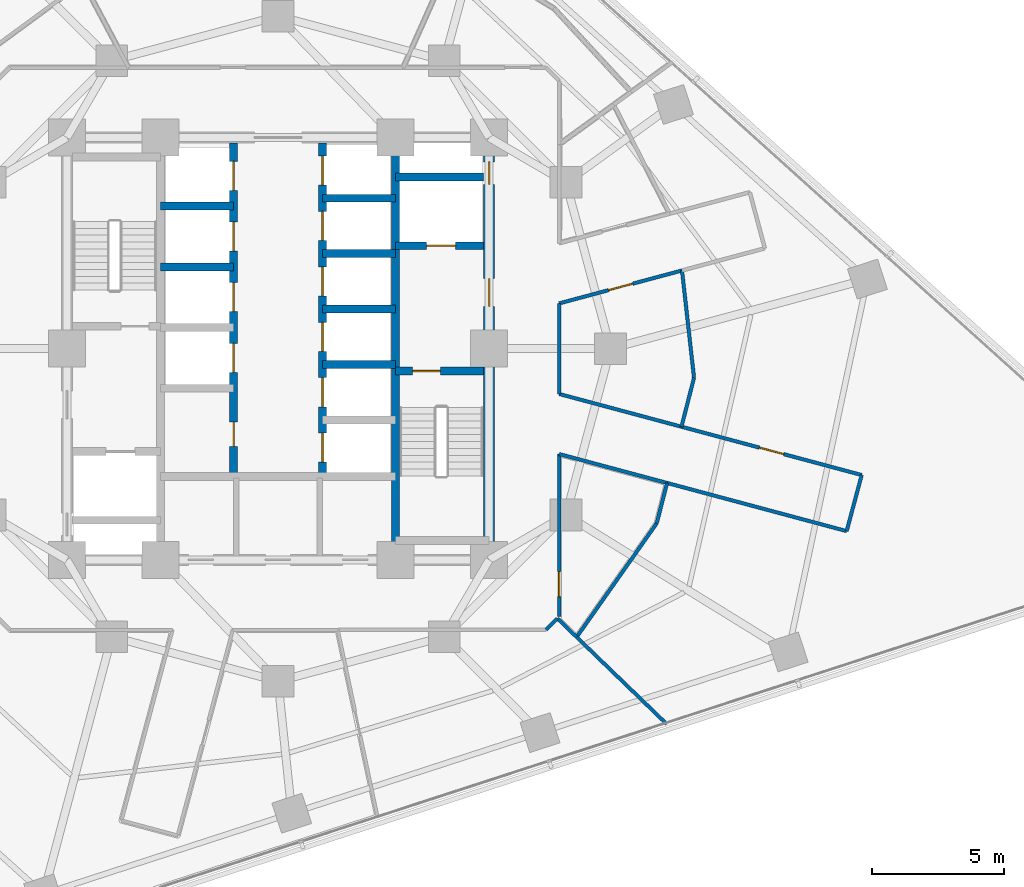
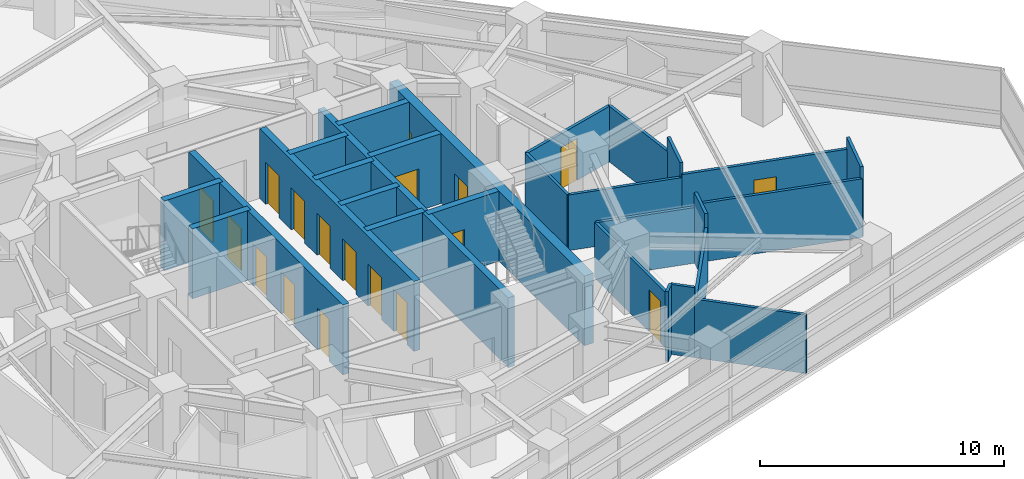
# One storey, part 8 of 13: 28 walls, 18 doors, 18 openings.
"""IFC4 building model written with IfcOpenShell, lengths in metres."""

from ifc_helpers import new_model, si_unit, direction, frame, frame_2d, origin, place, context, subcontext, project, spatial, rectangle, extrude, material, layer, layer_set, type_object, element, fill, save


model = new_model("IFC4")

# Units and contexts
model_context = context("Model", 3, precision=1e-05, world=origin(), true_north=direction((0.0, 1.0)))
body_context = subcontext(model_context, "Body", "Model", "MODEL_VIEW")
ifc_project = project(units=[si_unit("LENGTHUNIT", "METRE"), si_unit("AREAUNIT", "SQUARE_METRE"), si_unit("VOLUMEUNIT", "CUBIC_METRE"), si_unit("PLANEANGLEUNIT", "RADIAN"), si_unit("MASSUNIT", "GRAM", prefix="KILO")], contexts=[model_context])

# Site, building, storey
site_placement = place(None, origin())
site = spatial("IfcSite", under=ifc_project, at=site_placement, CompositionType="ELEMENT")
building_placement = place(site_placement, origin())
building = spatial("IfcBuilding", under=site, at=building_placement, Name="Terralouvre Media Tower", CompositionType="ELEMENT")
storey_placement = place(building_placement, frame((0.0, 0.0, 105.10009765625)))
storey = spatial("IfcBuildingStorey", under=building, at=storey_placement, Name="L26", CompositionType="ELEMENT", Elevation=105.10009765625)

# Wall
ifc_material_1 = material(Name="Concrete C50/60", Category="concrete")
ifc_layer_1 = layer(ifc_material_1, 0.300048828125, Name="Core Internal Shaft Wall CW-300")
ifc_layer_set_1 = layer_set([ifc_layer_1], Name="Concrete C50/60")
wall_type_1 = type_object("IfcWallType", Name="Core Internal Shaft Wall CW-300", PredefinedType="SHEAR", material=ifc_layer_set_1)
wall_1_placement = place(storey_placement, frame((4.449951171875, -7.7900390625, 0.0), z_axis=(0.0, 0.0, 1.0), x_axis=(0.0, 1.0, 0.0)))
element("IfcWall", 1, at=wall_1_placement, inside=storey, type_object=wall_type_1, Name="L26 Core Shaft Wall SPE", PredefinedType="SHEAR", context=body_context, shape_type="SweptSolid", body=[
    extrude(rectangle(XDim=15.580078125, YDim=0.300048828125, at=frame_2d((7.7900390625, 0.0))), origin(), (0.0, 0.0, 1.0), 3.5),
])

# Wall, opening, door
wall_2_placement = place(storey_placement, frame((4.449951171875, -0.85009765625, 0.0), z_axis=(0.0, 0.0, 1.0), x_axis=(1.0, 0.0, 0.0)))
wall_2 = element("IfcWall", 2, at=wall_2_placement, inside=storey, type_object=wall_type_1, Name="L26 Core Shaft Wall ST2D", PredefinedType="SHEAR", context=body_context, shape_type="SweptSolid", body=[
    extrude(rectangle(XDim=3.340087890625, YDim=0.300048828125, at=frame_2d((1.669921875, 0.0))), origin(), (0.0, 0.0, 1.0), 3.5),
])
opening_1_placement = place(wall_2_placement, frame((0.64990234375, 0.0, 0.0)))
opening_1 = element("IfcOpeningElement", 3, at=opening_1_placement, cuts=wall_2, Name="Opening FD-01-105X215", PredefinedType="OPENING", context=body_context, shape_type="SweptSolid", body=[
    extrude(rectangle(XDim=1.050048828125, YDim=2.14990234375, at=frame_2d((0.52490234375, 1.074951171875))), frame((0.0, 0.159912109375, 0.0), z_axis=(0.0, -1.0, 0.0), x_axis=(1.0, 0.0, 0.0)), (0.0, 0.0, 1.0), 0.320068359375),
])
ifc_material_2 = material(Name="Galvanised steel fire-resisting leaf", Category="steel")
door_type_1 = type_object("IfcDoorType", Name="Stair and Firefighting Lobby Fire Door FD-01 (1050x2150)", OperationType="NOTDEFINED", PredefinedType="DOOR", material=ifc_material_2)
door_1_placement = place(opening_1_placement, origin())
door_1 = element("IfcDoor", 4, at=door_1_placement, inside=storey, type_object=door_type_1, Name="L26 ST-02 Exit Stair Door", OperationType="SINGLE_SWING_RIGHT", OverallHeight=2.14990234375, OverallWidth=1.050048828125, PredefinedType="DOOR", context=body_context, shape_type="SweptSolid", body=[
    extrude(rectangle(XDim=1.050048828125, YDim=2.14990234375, at=frame_2d((0.52490234375, 1.074951171875))), frame((0.0, 0.02490234375, 0.0), z_axis=(0.0, -1.0, 0.0), x_axis=(1.0, 0.0, 0.0)), (0.0, 0.0, 1.0), 0.050048828125),
])
fill(opening_1, door_1)

wall_3_placement = place(storey_placement, frame((4.449951171875, 3.89990234375, 0.0), z_axis=(0.0, 0.0, 1.0), x_axis=(1.0, 0.0, 0.0)))
wall_3 = element("IfcWall", 5, at=wall_3_placement, inside=storey, type_object=wall_type_1, Name="L26 Core Shaft Wall FF2S", PredefinedType="SHEAR", context=body_context, shape_type="SweptSolid", body=[
    extrude(rectangle(XDim=3.340087890625, YDim=0.300048828125, at=frame_2d((1.669921875, 0.0))), origin(), (0.0, 0.0, 1.0), 3.5),
])
opening_2_placement = place(wall_3_placement, frame((1.179931640625, 0.0, 0.0)))
opening_2 = element("IfcOpeningElement", 6, at=opening_2_placement, cuts=wall_3, Name="Opening LD-FF", PredefinedType="OPENING", context=body_context, shape_type="SweptSolid", body=[
    extrude(rectangle(XDim=1.10009765625, YDim=2.10009765625, at=frame_2d((0.550048828125, 1.050048828125))), frame((0.0, 0.159912109375, 0.0), z_axis=(0.0, -1.0, 0.0), x_axis=(1.0, 0.0, 0.0)), (0.0, 0.0, 1.0), 0.320068359375),
])
ifc_material_3 = material(Name="Stainless steel 316 handrail and balustrade", Category="steel")
door_type_2 = type_object("IfcDoorType", Name="Firefighting Lift Sliding Landing Door LD-FF", OperationType="SLIDING_TO_LEFT", PredefinedType="DOOR", material=ifc_material_3)
door_2_placement = place(opening_2_placement, origin())
door_2 = element("IfcDoor", 7, at=door_2_placement, inside=storey, type_object=door_type_2, Name="L26 Firefighting Lift FFL-02 Landing Door", OperationType="SLIDING_TO_LEFT", OverallHeight=2.10009765625, OverallWidth=1.10009765625, PredefinedType="DOOR", context=body_context, shape_type="SweptSolid", body=[
    extrude(rectangle(XDim=1.10009765625, YDim=2.10009765625, at=frame_2d((0.550048828125, 1.050048828125))), frame((0.0, 0.02490234375, 0.0), z_axis=(0.0, -1.0, 0.0), x_axis=(1.0, 0.0, 0.0)), (0.0, 0.0, 1.0), 0.050048828125),
])
fill(opening_2, door_2)

# Wall
wall_4_placement = place(storey_placement, frame((4.449951171875, 6.5, 0.0), z_axis=(0.0, 0.0, 1.0), x_axis=(1.0, 0.0, 0.0)))
element("IfcWall", 8, at=wall_4_placement, inside=storey, type_object=wall_type_1, Name="L26 Core Shaft Wall FF2N", PredefinedType="SHEAR", context=body_context, shape_type="SweptSolid", body=[
    extrude(rectangle(XDim=3.340087890625, YDim=0.300048828125, at=frame_2d((1.669921875, 0.0))), origin(), (0.0, 0.0, 1.0), 3.5),
])

# Wall, openings, doors
wall_5_placement = place(storey_placement, frame((-1.679931640625, -4.85009765625, 0.0), z_axis=(0.0, 0.0, 1.0), x_axis=(0.0, 1.0, 0.0)))
wall_5 = element("IfcWall", 9, at=wall_5_placement, inside=storey, type_object=wall_type_1, Name="L26 Core Shaft Wall LBW", PredefinedType="SHEAR", context=body_context, shape_type="SweptSolid", body=[
    extrude(rectangle(XDim=12.64013671875, YDim=0.300048828125, at=frame_2d((6.320068359375, 0.0))), origin(), (0.0, 0.0, 1.0), 3.5),
])
opening_3_placement = place(wall_5_placement, frame((3.949951171875, 0.0, 0.0)))
opening_3 = element("IfcOpeningElement", 10, at=opening_3_placement, cuts=wall_5, Name="Opening LD-PL", PredefinedType="OPENING", context=body_context, shape_type="SweptSolid", body=[
    extrude(rectangle(XDim=1.10009765625, YDim=2.10009765625, at=frame_2d((0.550048828125, 1.050048828125))), frame((0.0, 0.159912109375, 0.0), z_axis=(0.0, -1.0, 0.0), x_axis=(1.0, 0.0, 0.0)), (0.0, 0.0, 1.0), 0.320068359375),
])
opening_4_placement = place(wall_5_placement, frame((6.25, 0.0, 0.0)))
opening_4 = element("IfcOpeningElement", 11, at=opening_4_placement, cuts=wall_5, Name="Opening LD-PL", PredefinedType="OPENING", context=body_context, shape_type="SweptSolid", body=[
    extrude(rectangle(XDim=1.10009765625, YDim=2.10009765625, at=frame_2d((0.550048828125, 1.050048828125))), frame((0.0, 0.159912109375, 0.0), z_axis=(0.0, -1.0, 0.0), x_axis=(1.0, 0.0, 0.0)), (0.0, 0.0, 1.0), 0.320068359375),
])
opening_5_placement = place(wall_5_placement, frame((8.550048828125, 0.0, 0.0)))
opening_5 = element("IfcOpeningElement", 12, at=opening_5_placement, cuts=wall_5, Name="Opening LD-PL", PredefinedType="OPENING", context=body_context, shape_type="SweptSolid", body=[
    extrude(rectangle(XDim=1.10009765625, YDim=2.10009765625, at=frame_2d((0.550048828125, 1.050048828125))), frame((0.0, 0.159912109375, 0.0), z_axis=(0.0, -1.0, 0.0), x_axis=(1.0, 0.0, 0.0)), (0.0, 0.0, 1.0), 0.320068359375),
])
opening_6_placement = place(wall_5_placement, frame((10.85009765625, 0.0, 0.0)))
opening_6 = element("IfcOpeningElement", 13, at=opening_6_placement, cuts=wall_5, Name="Opening LD-PL", PredefinedType="OPENING", context=body_context, shape_type="SweptSolid", body=[
    extrude(rectangle(XDim=1.10009765625, YDim=2.10009765625, at=frame_2d((0.550048828125, 1.050048828125))), frame((0.0, 0.159912109375, 0.0), z_axis=(0.0, -1.0, 0.0), x_axis=(1.0, 0.0, 0.0)), (0.0, 0.0, 1.0), 0.320068359375),
])
opening_7_placement = place(wall_5_placement, frame((1.14990234375, 0.0, 0.0)))
opening_7 = element("IfcOpeningElement", 14, at=opening_7_placement, cuts=wall_5, Name="Opening FD-05-92X210", PredefinedType="OPENING", context=body_context, shape_type="SweptSolid", body=[
    extrude(rectangle(XDim=0.919921875, YDim=2.10009765625, at=frame_2d((0.4599609375, 1.050048828125))), frame((0.0, 0.159912109375, 0.0), z_axis=(0.0, -1.0, 0.0), x_axis=(1.0, 0.0, 0.0)), (0.0, 0.0, 1.0), 0.320068359375),
])
ifc_material_4 = material(Name="Galvanised steel fire-resisting leaf", Category="steel")
door_type_3 = type_object("IfcDoorType", Name="Core Accessible Closet Fire Door FD-05 (920x2100)", OperationType="NOTDEFINED", PredefinedType="DOOR", material=ifc_material_4)
door_3_placement = place(opening_7_placement, origin())
door_3 = element("IfcDoor", 15, at=door_3_placement, inside=storey, type_object=door_type_3, Name="L26 Core Cleaners Closet Door", OperationType="SINGLE_SWING_LEFT", OverallHeight=2.10009765625, OverallWidth=0.919921875, PredefinedType="DOOR", context=body_context, shape_type="SweptSolid", body=[
    extrude(rectangle(XDim=0.919921875, YDim=2.10009765625, at=frame_2d((0.4599609375, 1.050048828125))), frame((0.0, 0.02490234375, 0.0), z_axis=(0.0, -1.0, 0.0), x_axis=(1.0, 0.0, 0.0)), (0.0, 0.0, 1.0), 0.050048828125),
])
fill(opening_7, door_3)
ifc_material_5 = material(Name="Stainless steel 316 handrail and balustrade", Category="steel")
door_type_4 = type_object("IfcDoorType", Name="Passenger Lift Sliding Landing Door LD-PL", OperationType="SLIDING_TO_LEFT", PredefinedType="DOOR", material=ifc_material_5)
door_4_placement = place(opening_3_placement, origin())
door_4 = element("IfcDoor", 16, at=door_4_placement, inside=storey, type_object=door_type_4, Name="L26 Low-Rise Lift PL-L1 Landing Door", OperationType="SLIDING_TO_LEFT", OverallHeight=2.10009765625, OverallWidth=1.10009765625, PredefinedType="DOOR", context=body_context, shape_type="SweptSolid", body=[
    extrude(rectangle(XDim=1.10009765625, YDim=2.10009765625, at=frame_2d((0.550048828125, 1.050048828125))), frame((0.0, 0.02490234375, 0.0), z_axis=(0.0, -1.0, 0.0), x_axis=(1.0, 0.0, 0.0)), (0.0, 0.0, 1.0), 0.050048828125),
])
fill(opening_3, door_4)
door_5_placement = place(opening_4_placement, origin())
door_5 = element("IfcDoor", 17, at=door_5_placement, inside=storey, type_object=door_type_4, Name="L26 Low-Rise Lift PL-L2 Landing Door", OperationType="SLIDING_TO_LEFT", OverallHeight=2.10009765625, OverallWidth=1.10009765625, PredefinedType="DOOR", context=body_context, shape_type="SweptSolid", body=[
    extrude(rectangle(XDim=1.10009765625, YDim=2.10009765625, at=frame_2d((0.550048828125, 1.050048828125))), frame((0.0, 0.02490234375, 0.0), z_axis=(0.0, -1.0, 0.0), x_axis=(1.0, 0.0, 0.0)), (0.0, 0.0, 1.0), 0.050048828125),
])
fill(opening_4, door_5)
door_6_placement = place(opening_5_placement, origin())
door_6 = element("IfcDoor", 18, at=door_6_placement, inside=storey, type_object=door_type_4, Name="L26 Low-Rise Lift PL-L3 Landing Door", OperationType="SLIDING_TO_LEFT", OverallHeight=2.10009765625, OverallWidth=1.10009765625, PredefinedType="DOOR", context=body_context, shape_type="SweptSolid", body=[
    extrude(rectangle(XDim=1.10009765625, YDim=2.10009765625, at=frame_2d((0.550048828125, 1.050048828125))), frame((0.0, 0.02490234375, 0.0), z_axis=(0.0, -1.0, 0.0), x_axis=(1.0, 0.0, 0.0)), (0.0, 0.0, 1.0), 0.050048828125),
])
fill(opening_5, door_6)
door_7_placement = place(opening_6_placement, origin())
door_7 = element("IfcDoor", 19, at=door_7_placement, inside=storey, type_object=door_type_4, Name="L26 Low-Rise Lift PL-L4 Landing Door", OperationType="SLIDING_TO_LEFT", OverallHeight=2.10009765625, OverallWidth=1.10009765625, PredefinedType="DOOR", context=body_context, shape_type="SweptSolid", body=[
    extrude(rectangle(XDim=1.10009765625, YDim=2.10009765625, at=frame_2d((0.550048828125, 1.050048828125))), frame((0.0, 0.02490234375, 0.0), z_axis=(0.0, -1.0, 0.0), x_axis=(1.0, 0.0, 0.0)), (0.0, 0.0, 1.0), 0.050048828125),
])
fill(opening_6, door_7)

wall_6_placement = place(storey_placement, frame((1.679931640625, -4.85009765625, 0.0), z_axis=(0.0, 0.0, 1.0), x_axis=(0.0, 1.0, 0.0)))
wall_6 = element("IfcWall", 20, at=wall_6_placement, inside=storey, type_object=wall_type_1, Name="L26 Core Shaft Wall LBE", PredefinedType="SHEAR", context=body_context, shape_type="SweptSolid", body=[
    extrude(rectangle(XDim=12.64013671875, YDim=0.300048828125, at=frame_2d((6.320068359375, 0.0))), origin(), (0.0, 0.0, 1.0), 3.5),
])
opening_8_placement = place(wall_6_placement, frame((0.550048828125, 0.0, 0.0)))
opening_8 = element("IfcOpeningElement", 21, at=opening_8_placement, cuts=wall_6, Name="Opening LD-PL", PredefinedType="OPENING", context=body_context, shape_type="SweptSolid", body=[
    extrude(rectangle(XDim=1.10009765625, YDim=2.10009765625, at=frame_2d((0.550048828125, 1.050048828125))), frame((0.0, 0.159912109375, 0.0), z_axis=(0.0, -1.0, 0.0), x_axis=(1.0, 0.0, 0.0)), (0.0, 0.0, 1.0), 0.320068359375),
])
opening_9_placement = place(wall_6_placement, frame((2.64990234375, 0.0, 0.0)))
opening_9 = element("IfcOpeningElement", 22, at=opening_9_placement, cuts=wall_6, Name="Opening LD-PL", PredefinedType="OPENING", context=body_context, shape_type="SweptSolid", body=[
    extrude(rectangle(XDim=1.10009765625, YDim=2.10009765625, at=frame_2d((0.550048828125, 1.050048828125))), frame((0.0, 0.159912109375, 0.0), z_axis=(0.0, -1.0, 0.0), x_axis=(1.0, 0.0, 0.0)), (0.0, 0.0, 1.0), 0.320068359375),
])
opening_10_placement = place(wall_6_placement, frame((4.75, 0.0, 0.0)))
opening_10 = element("IfcOpeningElement", 23, at=opening_10_placement, cuts=wall_6, Name="Opening LD-PL", PredefinedType="OPENING", context=body_context, shape_type="SweptSolid", body=[
    extrude(rectangle(XDim=1.10009765625, YDim=2.10009765625, at=frame_2d((0.550048828125, 1.050048828125))), frame((0.0, 0.159912109375, 0.0), z_axis=(0.0, -1.0, 0.0), x_axis=(1.0, 0.0, 0.0)), (0.0, 0.0, 1.0), 0.320068359375),
])
opening_11_placement = place(wall_6_placement, frame((6.85009765625, 0.0, 0.0)))
opening_11 = element("IfcOpeningElement", 24, at=opening_11_placement, cuts=wall_6, Name="Opening LD-PL", PredefinedType="OPENING", context=body_context, shape_type="SweptSolid", body=[
    extrude(rectangle(XDim=1.10009765625, YDim=2.10009765625, at=frame_2d((0.550048828125, 1.050048828125))), frame((0.0, 0.159912109375, 0.0), z_axis=(0.0, -1.0, 0.0), x_axis=(1.0, 0.0, 0.0)), (0.0, 0.0, 1.0), 0.320068359375),
])
opening_12_placement = place(wall_6_placement, frame((8.949951171875, 0.0, 0.0)))
opening_12 = element("IfcOpeningElement", 25, at=opening_12_placement, cuts=wall_6, Name="Opening LD-PL", PredefinedType="OPENING", context=body_context, shape_type="SweptSolid", body=[
    extrude(rectangle(XDim=1.10009765625, YDim=2.10009765625, at=frame_2d((0.550048828125, 1.050048828125))), frame((0.0, 0.159912109375, 0.0), z_axis=(0.0, -1.0, 0.0), x_axis=(1.0, 0.0, 0.0)), (0.0, 0.0, 1.0), 0.320068359375),
])
opening_13_placement = place(wall_6_placement, frame((11.050048828125, 0.0, 0.0)))
opening_13 = element("IfcOpeningElement", 26, at=opening_13_placement, cuts=wall_6, Name="Opening LD-PL", PredefinedType="OPENING", context=body_context, shape_type="SweptSolid", body=[
    extrude(rectangle(XDim=1.10009765625, YDim=2.10009765625, at=frame_2d((0.550048828125, 1.050048828125))), frame((0.0, 0.159912109375, 0.0), z_axis=(0.0, -1.0, 0.0), x_axis=(1.0, 0.0, 0.0)), (0.0, 0.0, 1.0), 0.320068359375),
])
door_8_placement = place(opening_8_placement, origin())
door_8 = element("IfcDoor", 27, at=door_8_placement, inside=storey, type_object=door_type_4, Name="L26 High-Rise Lift PL-H1 Landing Door", OperationType="SLIDING_TO_LEFT", OverallHeight=2.10009765625, OverallWidth=1.10009765625, PredefinedType="DOOR", context=body_context, shape_type="SweptSolid", body=[
    extrude(rectangle(XDim=1.10009765625, YDim=2.10009765625, at=frame_2d((0.550048828125, 1.050048828125))), frame((0.0, 0.02490234375, 0.0), z_axis=(0.0, -1.0, 0.0), x_axis=(1.0, 0.0, 0.0)), (0.0, 0.0, 1.0), 0.050048828125),
])
fill(opening_8, door_8)
door_9_placement = place(opening_9_placement, origin())
door_9 = element("IfcDoor", 28, at=door_9_placement, inside=storey, type_object=door_type_4, Name="L26 High-Rise Lift PL-H2 Landing Door", OperationType="SLIDING_TO_LEFT", OverallHeight=2.10009765625, OverallWidth=1.10009765625, PredefinedType="DOOR", context=body_context, shape_type="SweptSolid", body=[
    extrude(rectangle(XDim=1.10009765625, YDim=2.10009765625, at=frame_2d((0.550048828125, 1.050048828125))), frame((0.0, 0.02490234375, 0.0), z_axis=(0.0, -1.0, 0.0), x_axis=(1.0, 0.0, 0.0)), (0.0, 0.0, 1.0), 0.050048828125),
])
fill(opening_9, door_9)
door_10_placement = place(opening_10_placement, origin())
door_10 = element("IfcDoor", 29, at=door_10_placement, inside=storey, type_object=door_type_4, Name="L26 High-Rise Lift PL-H3 Landing Door", OperationType="SLIDING_TO_LEFT", OverallHeight=2.10009765625, OverallWidth=1.10009765625, PredefinedType="DOOR", context=body_context, shape_type="SweptSolid", body=[
    extrude(rectangle(XDim=1.10009765625, YDim=2.10009765625, at=frame_2d((0.550048828125, 1.050048828125))), frame((0.0, 0.02490234375, 0.0), z_axis=(0.0, -1.0, 0.0), x_axis=(1.0, 0.0, 0.0)), (0.0, 0.0, 1.0), 0.050048828125),
])
fill(opening_10, door_10)
door_11_placement = place(opening_11_placement, origin())
door_11 = element("IfcDoor", 30, at=door_11_placement, inside=storey, type_object=door_type_4, Name="L26 Mid-Rise Lift PL-M1 Landing Door", OperationType="SLIDING_TO_LEFT", OverallHeight=2.10009765625, OverallWidth=1.10009765625, PredefinedType="DOOR", context=body_context, shape_type="SweptSolid", body=[
    extrude(rectangle(XDim=1.10009765625, YDim=2.10009765625, at=frame_2d((0.550048828125, 1.050048828125))), frame((0.0, 0.02490234375, 0.0), z_axis=(0.0, -1.0, 0.0), x_axis=(1.0, 0.0, 0.0)), (0.0, 0.0, 1.0), 0.050048828125),
])
fill(opening_11, door_11)
door_12_placement = place(opening_12_placement, origin())
door_12 = element("IfcDoor", 31, at=door_12_placement, inside=storey, type_object=door_type_4, Name="L26 Mid-Rise Lift PL-M2 Landing Door", OperationType="SLIDING_TO_LEFT", OverallHeight=2.10009765625, OverallWidth=1.10009765625, PredefinedType="DOOR", context=body_context, shape_type="SweptSolid", body=[
    extrude(rectangle(XDim=1.10009765625, YDim=2.10009765625, at=frame_2d((0.550048828125, 1.050048828125))), frame((0.0, 0.02490234375, 0.0), z_axis=(0.0, -1.0, 0.0), x_axis=(1.0, 0.0, 0.0)), (0.0, 0.0, 1.0), 0.050048828125),
])
fill(opening_12, door_12)
door_13_placement = place(opening_13_placement, origin())
door_13 = element("IfcDoor", 32, at=door_13_placement, inside=storey, type_object=door_type_4, Name="L26 Mid-Rise Lift PL-M3 Landing Door", OperationType="SLIDING_TO_LEFT", OverallHeight=2.10009765625, OverallWidth=1.10009765625, PredefinedType="DOOR", context=body_context, shape_type="SweptSolid", body=[
    extrude(rectangle(XDim=1.10009765625, YDim=2.10009765625, at=frame_2d((0.550048828125, 1.050048828125))), frame((0.0, 0.02490234375, 0.0), z_axis=(0.0, -1.0, 0.0), x_axis=(1.0, 0.0, 0.0)), (0.0, 0.0, 1.0), 0.050048828125),
])
fill(opening_13, door_13)

# Walls
for number, where, z_axis, x_axis, name in (
    (33, (-4.449951171875, 3.10009765625, 0.0), (0.0, 0.0, 1.0), (1.0, 0.0, 0.0), "L26 Core Shaft Wall PLLD2"),
    (34, (-4.449951171875, 5.39990234375, 0.0), (0.0, 0.0, 1.0), (1.0, 0.0, 0.0), "L26 Core Shaft Wall PLLD3"),
    (35, (1.679931640625, 1.5, 0.0), (0.0, 0.0, 1.0), (1.0, 0.0, 0.0), "L26 Core Shaft Wall PLMD0"),
    (36, (1.679931640625, 3.60009765625, 0.0), (0.0, 0.0, 1.0), (1.0, 0.0, 0.0), "L26 Core Shaft Wall PLMD1"),
    (37, (1.679931640625, 5.699951171875, 0.0), (0.0, 0.0, 1.0), (1.0, 0.0, 0.0), "L26 Core Shaft Wall PLMD2"),
    (38, (1.679931640625, -0.60009765625, 0.0), (0.0, 0.0, 1.0), (1.0, 0.0, 0.0), "L26 Core Shaft Wall PLHD2"),
):
    element("IfcWall", number, at=place(storey_placement, frame(where, z_axis=z_axis, x_axis=x_axis)), inside=storey, type_object=wall_type_1, Name=name, PredefinedType="SHEAR", context=body_context, shape_type="SweptSolid", body=[
        extrude(rectangle(XDim=2.77001953125, YDim=0.300048828125, at=frame_2d((1.385009765625, 0.0))), origin(), (0.0, 0.0, 1.0), 3.5),
    ])

# Wall, openings, doors
ifc_material_6 = material(Name="Concrete C60/75", Category="concrete")
ifc_layer_2 = layer(ifc_material_6, 0.419921875, Name="Core Reinforced Concrete Shear Wall CW-420")
ifc_layer_set_2 = layer_set([ifc_layer_2], Name="Concrete C60/75")
wall_type_2 = type_object("IfcWallType", Name="Core Reinforced Concrete Shear Wall CW-420", PredefinedType="SHEAR", material=ifc_layer_set_2)
wall_7_placement = place(storey_placement, frame((8.0, -8.0, 0.0), z_axis=(0.0, 0.0, 1.0), x_axis=(0.0, 1.0, 0.0)))
wall_7 = element("IfcWall", 39, at=wall_7_placement, inside=storey, type_object=wall_type_2, Name="L26 E Core Shear Wall", PredefinedType="SHEAR", context=body_context, shape_type="SweptSolid", body=[
    extrude(rectangle(XDim=16.0, YDim=0.419921875, at=frame_2d((8.0, 0.0))), origin(), (0.0, 0.0, 1.0), 3.5),
])
opening_14_placement = place(wall_7_placement, frame((9.60009765625, 0.0, 0.0)))
opening_14 = element("IfcOpeningElement", 40, at=opening_14_placement, cuts=wall_7, Name="Opening FD-01-105X215", PredefinedType="OPENING", context=body_context, shape_type="SweptSolid", body=[
    extrude(rectangle(XDim=1.050048828125, YDim=2.14990234375, at=frame_2d((0.52490234375, 1.074951171875))), frame((0.0, 0.219970703125, 0.0), z_axis=(0.0, -1.0, 0.0), x_axis=(1.0, 0.0, 0.0)), (0.0, 0.0, 1.0), 0.43994140625),
])
opening_15_placement = place(wall_7_placement, frame((14.228515625, 0.0, 0.0)))
opening_15 = element("IfcOpeningElement", 41, at=opening_15_placement, cuts=wall_7, Name="Opening TD-R1", PredefinedType="OPENING", context=body_context, shape_type="SweptSolid", body=[
    extrude(rectangle(XDim=0.85009765625, YDim=2.02001953125, at=frame_2d((0.425048828125, 1.010009765625))), frame((0.0, 0.219970703125, 0.0), z_axis=(0.0, -1.0, 0.0), x_axis=(1.0, 0.0, 0.0)), (0.0, 0.0, 1.0), 0.43994140625),
])
ifc_material_7 = material(Name="Galvanised steel fire-resisting leaf", Category="steel")
door_type_5 = type_object("IfcDoorType", Name="Riser Inspection Access Trapdoor TD-R1", OperationType="NOTDEFINED", PredefinedType="TRAPDOOR", material=ifc_material_7)
door_14_placement = place(opening_15_placement, origin())
door_14 = element("IfcDoor", 42, at=door_14_placement, inside=storey, type_object=door_type_5, Name="L26 East Comms Riser Access Trapdoor", OperationType="SINGLE_SWING_RIGHT", OverallHeight=2.02001953125, OverallWidth=0.85009765625, PredefinedType="TRAPDOOR", context=body_context, shape_type="SweptSolid", body=[
    extrude(rectangle(XDim=0.85009765625, YDim=2.02001953125, at=frame_2d((0.425048828125, 1.010009765625))), frame((0.0, 0.02490234375, 0.0), z_axis=(0.0, -1.0, 0.0), x_axis=(1.0, 0.0, 0.0)), (0.0, 0.0, 1.0), 0.050048828125),
])
fill(opening_15, door_14)
door_15_placement = place(opening_14_placement, origin())
door_15 = element("IfcDoor", 43, at=door_15_placement, inside=storey, type_object=door_type_1, Name="L26 East Firefighting Lobby Entry Door", OperationType="SINGLE_SWING_LEFT", OverallHeight=2.14990234375, OverallWidth=1.050048828125, PredefinedType="DOOR", context=body_context, shape_type="SweptSolid", body=[
    extrude(rectangle(XDim=1.050048828125, YDim=2.14990234375, at=frame_2d((0.52490234375, 1.074951171875))), frame((0.0, 0.02490234375, 0.0), z_axis=(0.0, -1.0, 0.0), x_axis=(1.0, 0.0, 0.0)), (0.0, 0.0, 1.0), 0.050048828125),
])
fill(opening_14, door_15)

# Walls
ifc_material_8 = material(Name="Fire-rated gypsum board drywall partition")
ifc_layer_3 = layer(ifc_material_8, 0.135009765625, Name="Newsroom Acoustic Partition PT-135")
ifc_layer_set_3 = layer_set([ifc_layer_3], Name="Fire-rated gypsum board drywall partition")
wall_type_3 = type_object("IfcWallType", Name="Newsroom Acoustic Partition PT-135", PredefinedType="PARTITIONING", material=ifc_layer_set_3)
wall_8_placement = place(storey_placement, frame((14.739990234375, -5.087890625, 0.0), z_axis=(0.0, 0.0, 1.0), x_axis=(0.965895912523, -0.258930659002, 0.0)))
element("IfcWall", 44, at=wall_8_placement, inside=storey, type_object=wall_type_3, Name="L26 Interior Partition 008", PredefinedType="PARTITIONING", context=body_context, shape_type="SweptSolid", body=[
    extrude(rectangle(XDim=7.045166015625, YDim=0.135009765625, at=frame_2d((3.5224609375, 0.0))), origin(), (0.0, 0.0, 1.0), 2.934814453125),
])
wall_9_placement = place(storey_placement, frame((21.544921875, -6.912109375, 0.0), z_axis=(0.0, 0.0, 1.0), x_axis=(0.259105843213, 0.965848933329, 0.0)))
element("IfcWall", 45, at=wall_9_placement, inside=storey, type_object=wall_type_3, Name="L26 Interior Partition 009", PredefinedType="PARTITIONING", context=body_context, shape_type="SweptSolid", body=[
    extrude(rectangle(XDim=2.2001953125, YDim=0.135009765625, at=frame_2d((1.10009765625, 0.0))), origin(), (0.0, 0.0, 1.0), 3.5),
])

# Wall, opening, door
wall_10_placement = place(storey_placement, frame((22.114990234375, -4.787109375, 0.0), z_axis=(0.0, 0.0, 1.0), x_axis=(-0.965917838763, 0.258848853116, 0.0)))
wall_10 = element("IfcWall", 46, at=wall_10_placement, inside=storey, type_object=wall_type_3, Name="L26 Interior Partition 010", PredefinedType="PARTITIONING", context=body_context, shape_type="SweptSolid", body=[
    extrude(rectangle(XDim=7.070068359375, YDim=0.135009765625, at=frame_2d((3.53515625, 0.0))), origin(), (0.0, 0.0, 1.0), 2.934814453125),
])
opening_16_placement = place(wall_10_placement, frame((3.06005859375, 0.0, 0.0)))
opening_16 = element("IfcOpeningElement", 47, at=opening_16_placement, cuts=wall_10, Name="Opening ID-02-95X210", PredefinedType="OPENING", context=body_context, shape_type="SweptSolid", body=[
    extrude(rectangle(XDim=0.949951171875, YDim=2.10009765625, at=frame_2d((0.47509765625, 1.050048828125))), frame((0.0, 0.077392578125, 0.0), z_axis=(0.0, -1.0, 0.0), x_axis=(1.0, 0.0, 0.0)), (0.0, 0.0, 1.0), 0.155029296875),
])
ifc_material_9 = material(Name="Engineered hardwood acoustic timber leaf", Category="wood")
door_type_6 = type_object("IfcDoorType", Name="Office and Meeting Room Door ID-02 (950x2100)", OperationType="NOTDEFINED", PredefinedType="DOOR", material=ifc_material_9)
door_16_placement = place(opening_16_placement, origin())
door_16 = element("IfcDoor", 48, at=door_16_placement, inside=storey, type_object=door_type_6, Name="L26 Wellness Supply Store 2 Door", OperationType="SINGLE_SWING_LEFT", OverallHeight=2.10009765625, OverallWidth=0.949951171875, PredefinedType="DOOR", context=body_context, shape_type="SweptSolid", body=[
    extrude(rectangle(XDim=0.949951171875, YDim=2.10009765625, at=frame_2d((0.47509765625, 1.050048828125))), frame((0.0, 0.02490234375, 0.0), z_axis=(0.0, -1.0, 0.0), x_axis=(1.0, 0.0, 0.0)), (0.0, 0.0, 1.0), 0.050048828125),
])
fill(opening_16, door_16)

wall_11_placement = place(storey_placement, frame((10.64990234375, -10.14990234375, 0.0), z_axis=(0.0, 0.0, 1.0), x_axis=(0.0, 1.0, 0.0)))
wall_11 = element("IfcWall", 49, at=wall_11_placement, inside=storey, type_object=wall_type_3, Name="L26 Interior Partition 014", PredefinedType="PARTITIONING", context=body_context, shape_type="SweptSolid", body=[
    extrude(rectangle(XDim=6.157958984375, YDim=0.135009765625, at=frame_2d((3.0791015625, 0.0))), origin(), (0.0, 0.0, 1.0), 2.784912109375),
])
opening_17_placement = place(wall_11_placement, frame((0.756591796875, 0.0, 0.0)))
opening_17 = element("IfcOpeningElement", 50, at=opening_17_placement, cuts=wall_11, Name="Opening ID-02-95X210", PredefinedType="OPENING", context=body_context, shape_type="SweptSolid", body=[
    extrude(rectangle(XDim=0.949951171875, YDim=2.10009765625, at=frame_2d((0.47509765625, 1.050048828125))), frame((0.0, 0.077392578125, 0.0), z_axis=(0.0, -1.0, 0.0), x_axis=(1.0, 0.0, 0.0)), (0.0, 0.0, 1.0), 0.155029296875),
])
door_17_placement = place(opening_17_placement, origin())
door_17 = element("IfcDoor", 51, at=door_17_placement, inside=storey, type_object=door_type_6, Name="L26 Club Reading Library 3 Door", OperationType="SINGLE_SWING_RIGHT", OverallHeight=2.10009765625, OverallWidth=0.949951171875, PredefinedType="DOOR", context=body_context, shape_type="SweptSolid", body=[
    extrude(rectangle(XDim=0.949951171875, YDim=2.10009765625, at=frame_2d((0.47509765625, 1.050048828125))), frame((0.0, 0.02490234375, 0.0), z_axis=(0.0, -1.0, 0.0), x_axis=(1.0, 0.0, 0.0)), (0.0, 0.0, 1.0), 0.050048828125),
])
fill(opening_17, door_17)

# Walls
wall_12_placement = place(storey_placement, frame((10.64990234375, -3.991943359375, 0.0), z_axis=(0.0, 0.0, 1.0), x_axis=(0.965925146235, -0.258821583086, 0.0)))
element("IfcWall", 52, at=wall_12_placement, inside=storey, type_object=wall_type_3, Name="L26 Interior Partition 015", PredefinedType="PARTITIONING", context=body_context, shape_type="SweptSolid", body=[
    extrude(rectangle(XDim=4.234375, YDim=0.135009765625, at=frame_2d((2.1171875, 0.0))), origin(), (0.0, 0.0, 1.0), 2.784912109375),
])
wall_13_placement = place(storey_placement, frame((15.285888671875, -2.95703125, 0.0), z_axis=(0.0, 0.0, 1.0), x_axis=(-0.965939651128, 0.258767444588, 0.0)))
element("IfcWall", 53, at=wall_13_placement, inside=storey, type_object=wall_type_3, Name="L26 Interior Partition 016", PredefinedType="PARTITIONING", context=body_context, shape_type="SweptSolid", body=[
    extrude(rectangle(XDim=4.799560546875, YDim=0.135009765625, at=frame_2d((2.39990234375, 0.0))), origin(), (0.0, 0.0, 1.0), 2.784912109375),
])
wall_14_placement = place(storey_placement, frame((10.64990234375, -1.715087890625, 0.0), z_axis=(0.0, 0.0, 1.0), x_axis=(0.0, 1.0, 0.0)))
element("IfcWall", 54, at=wall_14_placement, inside=storey, type_object=wall_type_3, Name="L26 Interior Partition 017", PredefinedType="PARTITIONING", context=body_context, shape_type="SweptSolid", body=[
    extrude(rectangle(XDim=3.43017578125, YDim=0.135009765625, at=frame_2d((1.715087890625, 0.0))), origin(), (0.0, 0.0, 1.0), 2.784912109375),
])

# Wall, opening, door
wall_15_placement = place(storey_placement, frame((10.64990234375, 1.715087890625, 0.0), z_axis=(0.0, 0.0, 1.0), x_axis=(0.965927482723, 0.258812863129, 0.0)))
wall_15 = element("IfcWall", 55, at=wall_15_placement, inside=storey, type_object=wall_type_3, Name="L26 Interior Partition 018", PredefinedType="PARTITIONING", context=body_context, shape_type="SweptSolid", body=[
    extrude(rectangle(XDim=4.8212890625, YDim=0.135009765625, at=frame_2d((2.41064453125, 0.0))), origin(), (0.0, 0.0, 1.0), 2.784912109375),
])
opening_18_placement = place(wall_15_placement, frame((1.935791015625, 0.0, 0.0)))
opening_18 = element("IfcOpeningElement", 56, at=opening_18_placement, cuts=wall_15, Name="Opening ID-02-95X210", PredefinedType="OPENING", context=body_context, shape_type="SweptSolid", body=[
    extrude(rectangle(XDim=0.949951171875, YDim=2.10009765625, at=frame_2d((0.47509765625, 1.050048828125))), frame((0.0, 0.077392578125, 0.0), z_axis=(0.0, -1.0, 0.0), x_axis=(1.0, 0.0, 0.0)), (0.0, 0.0, 1.0), 0.155029296875),
])
door_18_placement = place(opening_18_placement, origin())
door_18 = element("IfcDoor", 57, at=door_18_placement, inside=storey, type_object=door_type_6, Name="L26 Editorial Collaborative Open Office 4 Door", OperationType="SINGLE_SWING_LEFT", OverallHeight=2.10009765625, OverallWidth=0.949951171875, PredefinedType="DOOR", context=body_context, shape_type="SweptSolid", body=[
    extrude(rectangle(XDim=0.949951171875, YDim=2.10009765625, at=frame_2d((0.47509765625, 1.050048828125))), frame((0.0, 0.02490234375, 0.0), z_axis=(0.0, -1.0, 0.0), x_axis=(1.0, 0.0, 0.0)), (0.0, 0.0, 1.0), 0.050048828125),
])
fill(opening_18, door_18)

# Walls
wall_16_placement = place(storey_placement, frame((10.14990234375, -10.64990234375, 0.0), z_axis=(0.0, 0.0, 1.0), x_axis=(0.70730655707, 0.706906948845, 0.0)))
element("IfcWall", 58, at=wall_16_placement, inside=storey, type_object=wall_type_3, Name="L26 Interior Partition 026", PredefinedType="PARTITIONING", context=body_context, shape_type="SweptSolid", body=[
    extrude(rectangle(XDim=0.61083984375, YDim=0.135009765625, at=frame_2d((0.305419921875, 0.0))), origin(), (0.0, 0.0, 1.0), 3.5),
])
wall_17_placement = place(storey_placement, frame((14.739990234375, -5.087890625, 0.0), z_axis=(0.0, 0.0, 1.0), x_axis=(-0.247961711117, -0.968769833252, 0.0)))
element("IfcWall", 59, at=wall_17_placement, inside=storey, type_object=wall_type_3, Name="L26 Interior Partition 038", PredefinedType="PARTITIONING", context=body_context, shape_type="SweptSolid", body=[
    extrude(rectangle(XDim=1.576416015625, YDim=0.135009765625, at=frame_2d((0.7880859375, 0.0))), origin(), (0.0, 0.0, 1.0), 3.5),
])
wall_18_placement = place(storey_placement, frame((14.34912109375, -6.614990234375, 0.0), z_axis=(0.0, 0.0, 1.0), x_axis=(-0.575468172254, -0.817824175922, 0.0)))
element("IfcWall", 60, at=wall_18_placement, inside=storey, type_object=wall_type_3, Name="L26 Interior Partition 039", PredefinedType="PARTITIONING", context=body_context, shape_type="SweptSolid", body=[
    extrude(rectangle(XDim=5.2724609375, YDim=0.135009765625, at=frame_2d((2.63623046875, 0.0))), origin(), (0.0, 0.0, 1.0), 2.784912109375),
])
wall_19_placement = place(storey_placement, frame((15.306884765625, 2.962890625, 0.0), z_axis=(0.0, 0.0, 1.0), x_axis=(0.111256918124, -0.99379167745, 0.0)))
element("IfcWall", 61, at=wall_19_placement, inside=storey, type_object=wall_type_3, Name="L26 Interior Partition 040", PredefinedType="PARTITIONING", context=body_context, shape_type="SweptSolid", body=[
    extrude(rectangle(XDim=4.09033203125, YDim=0.135009765625, at=frame_2d((2.045166015625, 0.0))), origin(), (0.0, 0.0, 1.0), 2.784912109375),
])
wall_20_placement = place(storey_placement, frame((15.761962890625, -1.10205078125, 0.0), z_axis=(0.0, 0.0, 1.0), x_axis=(-0.248590042538, -0.968608791386, 0.0)))
element("IfcWall", 62, at=wall_20_placement, inside=storey, type_object=wall_type_3, Name="L26 Interior Partition 041", PredefinedType="PARTITIONING", context=body_context, shape_type="SweptSolid", body=[
    extrude(rectangle(XDim=1.9150390625, YDim=0.135009765625, at=frame_2d((0.95751953125, 0.0))), origin(), (0.0, 0.0, 1.0), 3.5),
])
wall_21_placement = place(storey_placement, frame((11.31494140625, -10.927001953125, 0.0), z_axis=(0.0, 0.0, 1.0), x_axis=(0.719365057957, -0.694632214478, 0.0)))
element("IfcWall", 63, at=wall_21_placement, inside=storey, type_object=wall_type_3, Name="L26 Interior Partition 043", PredefinedType="PARTITIONING", context=body_context, shape_type="SweptSolid", body=[
    extrude(rectangle(XDim=4.738037109375, YDim=0.135009765625, at=frame_2d((2.369140625, 0.0))), origin(), (0.0, 0.0, 1.0), 2.934814453125),
])
wall_22_placement = place(storey_placement, frame((10.58203125, -10.218017578125, 0.0), z_axis=(0.0, 0.0, 1.0), x_axis=(0.718741071219, -0.695277838381, 0.0)))
element("IfcWall", 64, at=wall_22_placement, inside=storey, type_object=wall_type_3, Name="L26 Interior Partition 046", PredefinedType="PARTITIONING", context=body_context, shape_type="SweptSolid", body=[
    extrude(rectangle(XDim=1.019775390625, YDim=0.135009765625, at=frame_2d((0.509765625, 0.0))), origin(), (0.0, 0.0, 1.0), 3.5),
])

save(model, "model.ifc")
